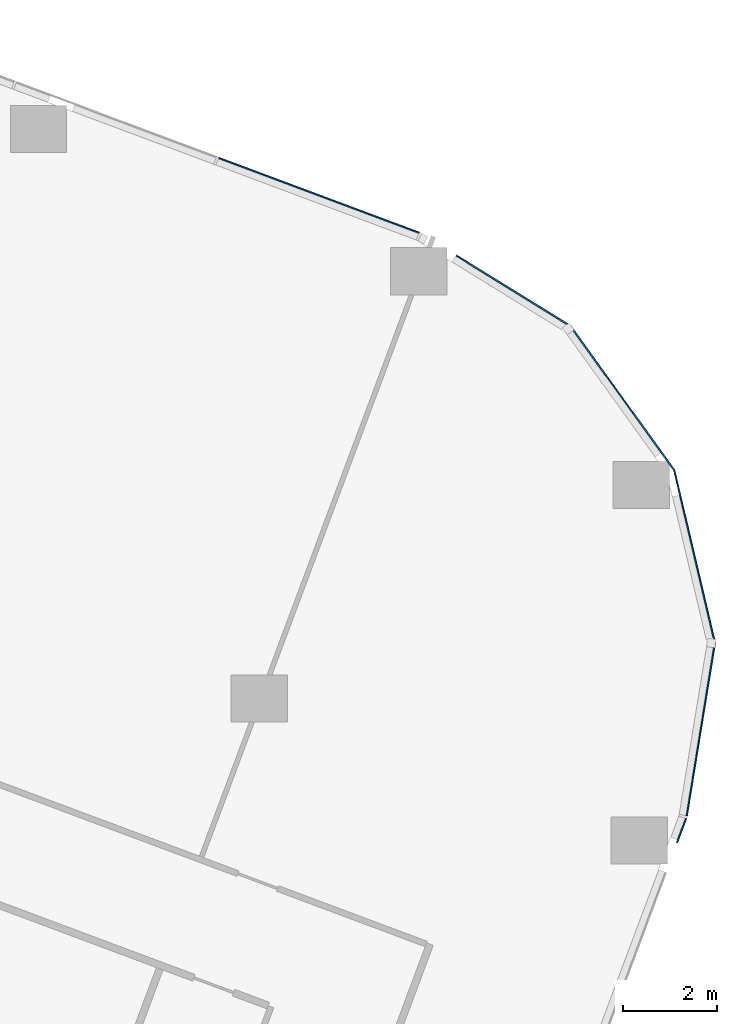
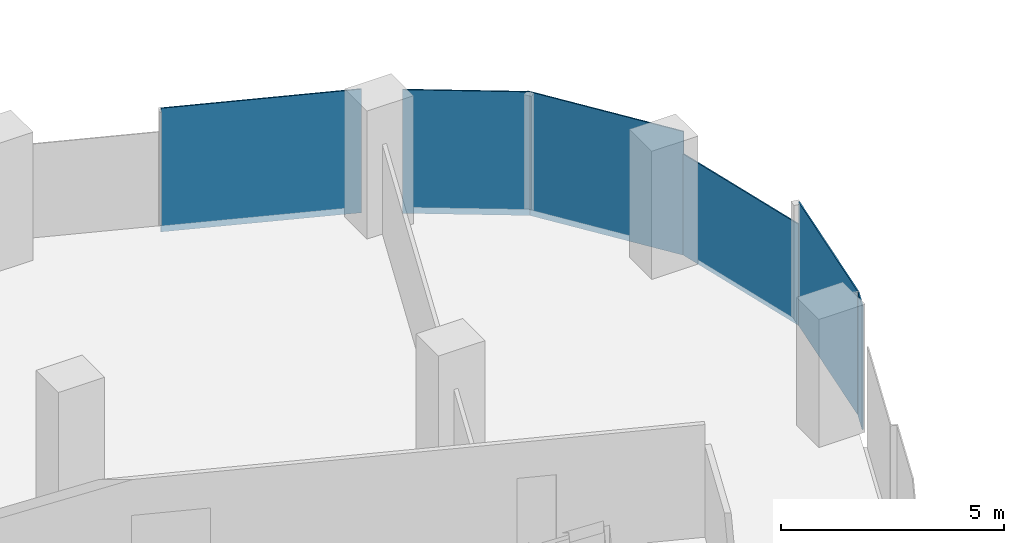
# One storey, part 20 of 31: 6 plates, 6 elements without a shape of their own.
"""IFC4 building model written with IfcOpenShell, lengths in metres."""

import ifcopenshell
import ifcopenshell.guid

model = None  # the IFC model being written
_history = None  # IfcOwnerHistory: only IFC2X3 demands one
_inside = {}  # id of a spatial element -> (the spatial element, [elements in it])
_under = {}  # id of a project, library or spatial element -> (it, [spatial elements below it])
_declared = {}  # id of a project -> (the project, [libraries it declares])
_typed = {}  # id of a type object -> (the type object, [elements of that type])
_made_of = {}  # id of a material, layer set ... -> (it, [elements and type objects made of it])


def new_model(schema):
    """Start an empty IFC model of exactly this schema.

    Asked for "IFC4X3", IfcOpenShell would pick the latest addendum, in which some entities
    have other attributes; the version numbers below select the first issue.
    IFC2X3 requires an IfcOwnerHistory on every rooted entity: one is made here for all.
    """
    global model, _history
    if schema == "IFC4X3":
        model = ifcopenshell.file(schema_version=(4, 3, 0, 0))
    else:
        model = ifcopenshell.file(schema=schema)
    _inside.clear()
    _under.clear()
    _declared.clear()
    _typed.clear()
    _made_of.clear()
    _history = None
    if model.schema == "IFC2X3":
        org = make("IfcOrganization", Name="unknown")
        user = make(
            "IfcPersonAndOrganization",
            ThePerson=make("IfcPerson", FamilyName="unknown"),
            TheOrganization=org,
        )
        app = make(
            "IfcApplication",
            ApplicationDeveloper=org,
            Version="unknown",
            ApplicationFullName="unknown",
            ApplicationIdentifier="unknown",
        )
        _history = make(
            "IfcOwnerHistory",
            OwningUser=user,
            OwningApplication=app,
            ChangeAction="ADDED",
            CreationDate=0,
        )
    return model


def make(cls, **values):
    """One entity of the class cls with the attributes given. An attribute that is None is left unset."""
    return model.create_entity(
        cls, **{name: value for name, value in values.items() if value is not None}
    )


def rooted(cls, **values):
    """An entity with a GlobalId (a new one), such as an element, a storey or a relation."""
    return make(cls, GlobalId=ifcopenshell.guid.new(), OwnerHistory=_history, **values)


def si_unit(unit_type, name, prefix=None):
    """IfcSIUnit, for example si_unit("LENGTHUNIT", "METRE", prefix="MILLI")."""
    return make("IfcSIUnit", UnitType=unit_type, Prefix=prefix, Name=name)


def assignment(units):
    """IfcUnitAssignment: the units of a project."""
    return None if units is None else make("IfcUnitAssignment", Units=units)


def point(xyz):
    """IfcCartesianPoint."""
    return None if xyz is None else make("IfcCartesianPoint", Coordinates=xyz)


def direction(xyz):
    """IfcDirection."""
    return None if xyz is None else make("IfcDirection", DirectionRatios=xyz)


def frame(location, z_axis=None, x_axis=None):
    """IfcAxis2Placement3D, a coordinate frame: its origin and axes. An axis left out is left unset."""
    return make(
        "IfcAxis2Placement3D",
        Location=point(location),
        Axis=direction(z_axis),
        RefDirection=direction(x_axis),
    )


def frame_2d(location, x_axis=None):
    """IfcAxis2Placement2D, a coordinate frame in the plane: its origin and x axis."""
    return make(
        "IfcAxis2Placement2D", Location=point(location), RefDirection=direction(x_axis)
    )


def origin():
    """The frame at (0, 0, 0) with its axes left unset."""
    return frame((0.0, 0.0, 0.0))


def origin_2d():
    """The frame at (0, 0) in the plane with its x axis left unset."""
    return frame_2d((0.0, 0.0))


def place(relative_to, where):
    """IfcLocalPlacement: puts the frame where relative to a parent placement (None: the world)."""
    return make(
        "IfcLocalPlacement", PlacementRelTo=relative_to, RelativePlacement=where
    )


def context(
    kind, dimensions, precision=None, world=None, true_north=None, identifier=None
):
    """IfcGeometricRepresentationContext, for example the 3D "Model" context."""
    return make(
        "IfcGeometricRepresentationContext",
        ContextIdentifier=identifier,
        ContextType=kind,
        CoordinateSpaceDimension=dimensions,
        Precision=precision,
        WorldCoordinateSystem=world,
        TrueNorth=true_north,
    )


def subcontext(parent, identifier, kind, view, scale=None):
    """IfcGeometricRepresentationSubContext, for example "Body" below "Model"."""
    return make(
        "IfcGeometricRepresentationSubContext",
        ContextIdentifier=identifier,
        ContextType=kind,
        ParentContext=parent,
        TargetScale=scale,
        TargetView=view,
    )


def project(units=None, contexts=None):
    """IfcProject with its units and contexts."""
    return rooted(
        "IfcProject",
        Name="project",
        RepresentationContexts=contexts,
        UnitsInContext=assignment(units),
    )


def spatial(cls, under=None, at=None, **own):
    """A site, building, storey or space (cls), placed at a placement, below another one or the project."""
    s = rooted(cls, ObjectPlacement=at, **own)
    if under is not None:
        _under.setdefault(under.id(), (under, []))[1].append(s)
    return s


def profile(cls, at=None, kind="AREA", **sizes):
    """A parametric profile (cls). Its sizes go by their IFC names, for example OverallWidth=200.0."""
    return make(cls, ProfileType=kind, Position=at, **sizes)


def rectangle(**sizes):
    """IfcRectangleProfileDef."""
    return profile("IfcRectangleProfileDef", **sizes)


def extrude(swept, where, along, depth):
    """IfcExtrudedAreaSolid: the profile swept, set in the frame where, extruded along a direction by depth."""
    return make(
        "IfcExtrudedAreaSolid",
        SweptArea=swept,
        Position=where,
        ExtrudedDirection=direction(along),
        Depth=depth,
    )


def shape(context_of_items, identifier, shape_type, items):
    """IfcShapeRepresentation: the items that make up one representation, for example the "Body"."""
    return make(
        "IfcShapeRepresentation",
        ContextOfItems=context_of_items,
        RepresentationIdentifier=identifier,
        RepresentationType=shape_type,
        Items=items,
    )


def material(Name=None, Category=None):
    """IfcMaterial."""
    return make("IfcMaterial", Name=Name, Category=Category)


def layer(
    of_material, thickness, ventilated=None, Name=None, Category=None, Priority=None
):
    """IfcMaterialLayer: one layer of a wall or slab, of a material (None: an air gap)."""
    return make(
        "IfcMaterialLayer",
        Material=of_material,
        LayerThickness=thickness,
        IsVentilated=ventilated,
        Name=Name,
        Category=Category,
        Priority=Priority,
    )


def layer_set(layers, Name=None):
    """IfcMaterialLayerSet."""
    return make("IfcMaterialLayerSet", MaterialLayers=layers, LayerSetName=Name)


def made_of(thing, what):
    """Note that an element or type object is made of a material, layer set ...; save() writes the relation."""
    if what is not None:
        _made_of.setdefault(what.id(), (what, []))[1].append(thing)
    return thing


def type_object(cls, material=None, **own):
    """A type object (cls), such as IfcWallType, which elements share."""
    return made_of(rooted(cls, **own), material)


def element(
    cls,
    number,
    at=None,
    inside=None,
    cuts=None,
    type_object=None,
    material=None,
    context=None,
    identifier="Body",
    shape_type=None,
    held_by="IfcProductDefinitionShape",
    body=None,
    shapes=None,
    **own,
):
    """One element of the class cls, such as IfcWall. Its Tag is "e" and its number.

    at: its placement. inside: the storey or other place that contains it. cuts: it is an
    opening in that element (IfcRelVoidsElement). A single representation is given by context,
    identifier, shape_type and body (its items); several are given by shapes. held_by: the class
    of the entity that holds the representations. save() writes the other relations.
    """
    e = rooted(cls, Tag="e%d" % number, ObjectPlacement=at, **own)
    if body is not None:
        shapes = [shape(context, identifier, shape_type, body)]
    if shapes is not None:
        e.Representation = make(held_by, Representations=shapes)
    if inside is not None:
        _inside.setdefault(inside.id(), (inside, []))[1].append(e)
    if cuts is not None:
        rooted(
            "IfcRelVoidsElement", RelatingBuildingElement=cuts, RelatedOpeningElement=e
        )
    if type_object is not None:
        _typed.setdefault(type_object.id(), (type_object, []))[1].append(e)
    return made_of(e, material)


def aggregate(whole, parts):
    """IfcRelAggregates: a whole, such as a stair, and the parts it consists of."""
    return rooted("IfcRelAggregates", RelatingObject=whole, RelatedObjects=parts)


def save(model, path):
    """Write the relations noted so far, then the file.

    IfcRelAggregates (storeys below a building ...), IfcRelContainedInSpatialStructure (elements
    in a storey), IfcRelDefinesByType, IfcRelAssociatesMaterial and IfcRelDeclares: one each for
    every whole, place, type object, material and project.
    """
    for whole, parts in _under.values():
        aggregate(whole, parts)
    for where, things in _inside.values():
        rooted(
            "IfcRelContainedInSpatialStructure",
            RelatedElements=things,
            RelatingStructure=where,
        )
    for kind, things in _typed.values():
        rooted("IfcRelDefinesByType", RelatedObjects=things, RelatingType=kind)
    for what, things in _made_of.values():
        rooted("IfcRelAssociatesMaterial", RelatedObjects=things, RelatingMaterial=what)
    for by, libraries in _declared.values():
        rooted("IfcRelDeclares", RelatingContext=by, RelatedDefinitions=libraries)
    model.write(path)


model = new_model("IFC4")

# Units and contexts
model_context = context("Model", 3, precision=1e-05, world=origin(), true_north=direction((0.0, 1.0)))
body_context = subcontext(model_context, "Body", "Model", "MODEL_VIEW")
ifc_project = project(units=[si_unit("LENGTHUNIT", "METRE"), si_unit("AREAUNIT", "SQUARE_METRE"), si_unit("VOLUMEUNIT", "CUBIC_METRE"), si_unit("PLANEANGLEUNIT", "RADIAN"), si_unit("MASSUNIT", "GRAM", prefix="KILO")], contexts=[model_context])

# Site, building, storey
site_placement = place(None, origin())
site = spatial("IfcSite", under=ifc_project, at=site_placement, CompositionType="ELEMENT")
building_placement = place(site_placement, origin())
building = spatial("IfcBuilding", under=site, at=building_placement, Name="Orlundy Tower", CompositionType="ELEMENT")
storey_placement = place(building_placement, frame((0.0, 0.0, 94.699951171875)))
storey = spatial("IfcBuildingStorey", under=building, at=storey_placement, Name="L23", CompositionType="ELEMENT", Elevation=94.699951171875)

# Curtain wall, plate
ifc_material_1 = material(Name="Aluminium bronze anodised", Category="aluminium")
curtain_wall_type = type_object("IfcCurtainWallType", Name="CW1 wall", PredefinedType="NOTDEFINED", material=ifc_material_1)
curtain_wall_1_placement = place(storey_placement, origin())
curtain_wall_1 = element("IfcCurtainWall", 1, at=curtain_wall_1_placement, inside=storey, type_object=curtain_wall_type, Name="CW1 run 06", PredefinedType="NOTDEFINED")
ifc_material_2 = material(Name="Tinted glass", Category="glass")
ifc_layer = layer(ifc_material_2, 0.031982421875)
ifc_layer_set = layer_set([ifc_layer], Name="CW1 glass panel 32")
plate_type = type_object("IfcPlateType", Name="CW1 glass panel 32", PredefinedType="CURTAIN_PANEL", material=ifc_layer_set)
plate_1_placement = place(storey_placement, frame((51.75390625, 2.17724609375, -0.27978515625), z_axis=(0.0, 0.0, 1.0), x_axis=(0.93667352363, -0.350203812273, 0.0)))
plate_1 = element("IfcPlate", 2, at=plate_1_placement, type_object=plate_type, Name="CW1 panel", PredefinedType="CURTAIN_PANEL", context=body_context, shape_type="SweptSolid", body=[
    extrude(rectangle(XDim=4.5546875, YDim=0.031982421875, at=origin_2d()), origin(), (0.0, 0.0, 1.0), 3.3798828125),
])
aggregate(curtain_wall_1, [plate_1])

curtain_wall_2_placement = place(storey_placement, origin())
curtain_wall_2 = element("IfcCurtainWall", 3, at=curtain_wall_2_placement, inside=storey, type_object=curtain_wall_type, Name="CW1 run 07", PredefinedType="NOTDEFINED")
plate_2_placement = place(storey_placement, frame((55.89013671875, 0.146240234375, -0.27978515625), z_axis=(0.0, 0.0, 1.0), x_axis=(0.850414609011, -0.526113098849, 0.0)))
plate_2 = element("IfcPlate", 4, at=plate_2_placement, type_object=plate_type, Name="CW1 panel", PredefinedType="CURTAIN_PANEL", context=body_context, shape_type="SweptSolid", body=[
    extrude(rectangle(XDim=2.855224609375, YDim=0.031982421875, at=origin_2d()), origin(), (0.0, 0.0, 1.0), 3.3798828125),
])
aggregate(curtain_wall_2, [plate_2])

curtain_wall_3_placement = place(storey_placement, origin())
curtain_wall_3 = element("IfcCurtainWall", 5, at=curtain_wall_3_placement, inside=storey, type_object=curtain_wall_type, Name="CW1 run 08", PredefinedType="NOTDEFINED")
plate_3_placement = place(storey_placement, frame((58.20556640625, -2.1357421875, -0.27978515625), z_axis=(0.0, 0.0, 1.0), x_axis=(0.584041752233, -0.811723617772, 0.0)))
plate_3 = element("IfcPlate", 6, at=plate_3_placement, type_object=plate_type, Name="CW1 panel", PredefinedType="CURTAIN_PANEL", context=body_context, shape_type="SweptSolid", body=[
    extrude(rectangle(XDim=3.772216796875, YDim=0.031982421875, at=origin_2d()), origin(), (0.0, 0.0, 1.0), 3.3798828125),
])
aggregate(curtain_wall_3, [plate_3])

curtain_wall_4_placement = place(storey_placement, origin())
curtain_wall_4 = element("IfcCurtainWall", 7, at=curtain_wall_4_placement, inside=storey, type_object=curtain_wall_type, Name="CW1 run 09", PredefinedType="NOTDEFINED")
plate_4_placement = place(storey_placement, frame((59.73974609375, -5.50244140625, -0.27978515625), z_axis=(0.0, 0.0, 1.0), x_axis=(0.229309985845, -0.97335344577, 0.0)))
plate_4 = element("IfcPlate", 8, at=plate_4_placement, type_object=plate_type, Name="CW1 panel", PredefinedType="CURTAIN_PANEL", context=body_context, shape_type="SweptSolid", body=[
    extrude(rectangle(XDim=3.77197265625, YDim=0.031982421875, at=origin_2d()), origin(), (0.0, 0.0, 1.0), 2.763916015625),
])
aggregate(curtain_wall_4, [plate_4])

curtain_wall_5_placement = place(storey_placement, origin())
curtain_wall_5 = element("IfcCurtainWall", 9, at=curtain_wall_5_placement, inside=storey, type_object=curtain_wall_type, Name="CW1 run 010", PredefinedType="NOTDEFINED")
plate_5_placement = place(storey_placement, frame((59.872314453125, -9.178955078125, -0.27978515625), z_axis=(0.0, 0.0, 1.0), x_axis=(-0.160810081906, -0.986985368462, 0.0)))
plate_5 = element("IfcPlate", 10, at=plate_5_placement, type_object=plate_type, Name="CW1 panel", PredefinedType="CURTAIN_PANEL", context=body_context, shape_type="SweptSolid", body=[
    extrude(rectangle(XDim=3.72998046875, YDim=0.031982421875, at=origin_2d()), origin(), (0.0, 0.0, 1.0), 3.3798828125),
])
aggregate(curtain_wall_5, [plate_5])

curtain_wall_6_placement = place(storey_placement, origin())
curtain_wall_6 = element("IfcCurtainWall", 11, at=curtain_wall_6_placement, inside=storey, type_object=curtain_wall_type, Name="CW1 run 011", PredefinedType="NOTDEFINED")
plate_6_placement = place(storey_placement, frame((59.463134765625, -11.3251953125, -0.27978515625), z_axis=(0.0, 0.0, 1.0), x_axis=(-0.350194360916, -0.936677057252, 0.0)))
plate_6 = element("IfcPlate", 12, at=plate_6_placement, type_object=plate_type, Name="CW1 panel", PredefinedType="CURTAIN_PANEL", context=body_context, shape_type="SweptSolid", body=[
    extrude(rectangle(XDim=0.549560546875, YDim=0.031982421875, at=origin_2d()), origin(), (0.0, 0.0, 1.0), 3.3798828125),
])
aggregate(curtain_wall_6, [plate_6])

save(model, "model.ifc")
